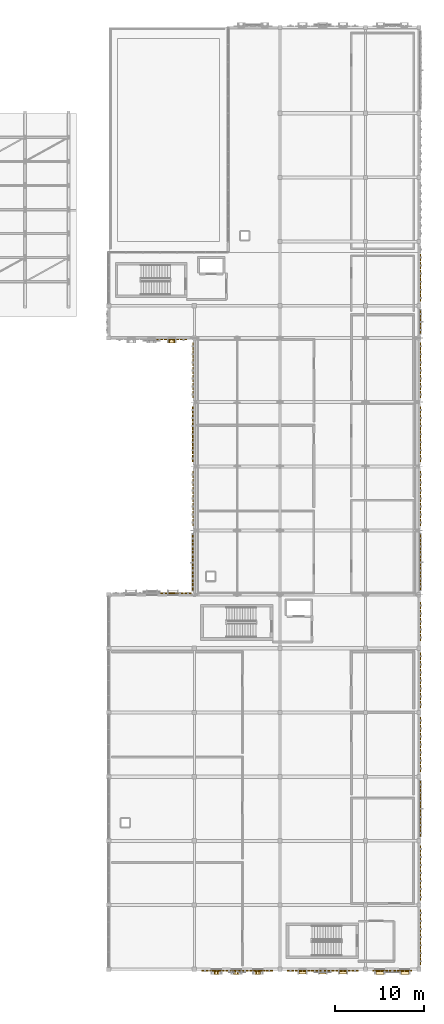
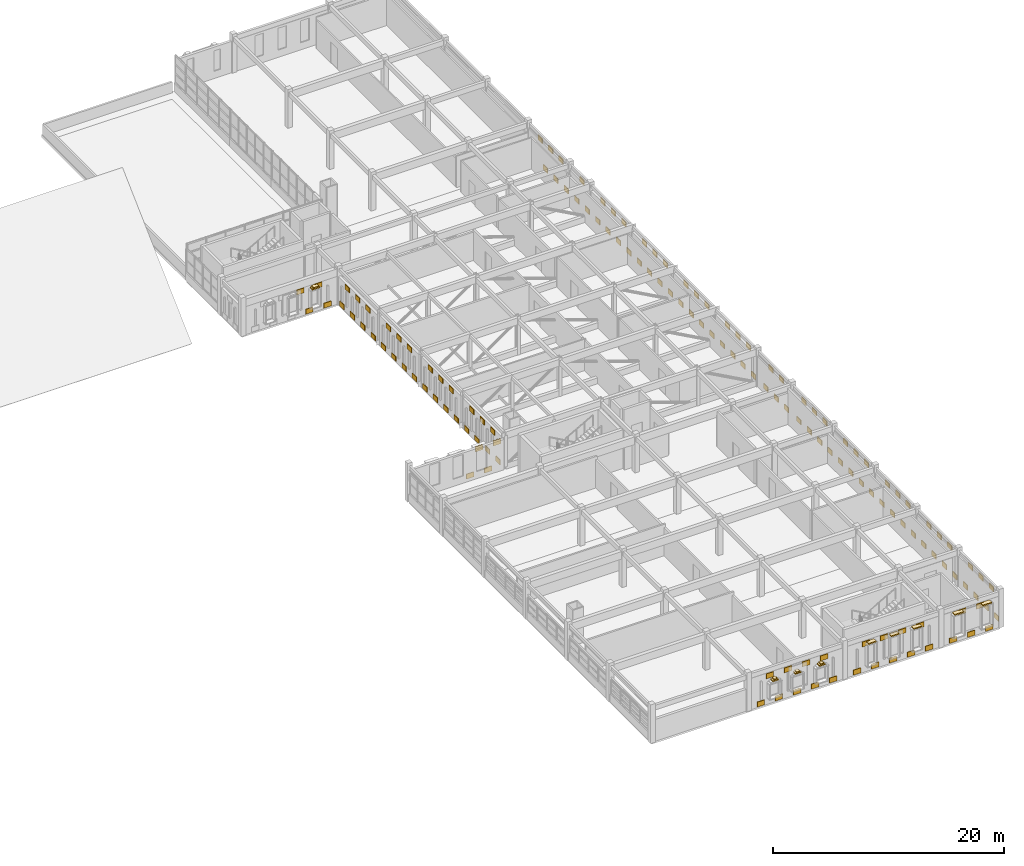
# One storey, part 78 of 79: 149 coverings.
"""IFC4 building model written with IfcOpenShell, lengths in metres."""

from ifc_helpers import new_model, si_unit, direction, frame, origin, origin_2d, place, context, subcontext, project, spatial, rectangle, extrude, material, layer, layer_set, type_object, element, save


model = new_model("IFC4")

# Units and contexts
model_context = context("Model", 3, precision=1e-05, world=origin(), true_north=direction((0.0, 1.0)))
body_context = subcontext(model_context, "Body", "Model", "MODEL_VIEW")
ifc_project = project(units=[si_unit("LENGTHUNIT", "METRE"), si_unit("AREAUNIT", "SQUARE_METRE"), si_unit("VOLUMEUNIT", "CUBIC_METRE"), si_unit("PLANEANGLEUNIT", "RADIAN"), si_unit("MASSUNIT", "GRAM", prefix="KILO")], contexts=[model_context])

# Site, building, storey
site_placement = place(None, origin())
site = spatial("IfcSite", under=ifc_project, at=site_placement, CompositionType="ELEMENT")
building_placement = place(site_placement, origin())
building = spatial("IfcBuilding", under=site, at=building_placement, Name="Nzembalo Square Collegiate School", CompositionType="ELEMENT")
storey_placement = place(building_placement, frame((0.0, 0.0, 9.52001953125)))
storey = spatial("IfcBuildingStorey", under=building, at=storey_placement, Name="L02", CompositionType="ELEMENT", Elevation=9.52001953125)

# Coverings
ifc_material_1 = material(Name="Glazed cobalt ceramic patterned tile")
ifc_layer_1 = layer(ifc_material_1, 0.074951171875, Name="Glazed cobalt ceramic patterned tile")
ifc_layer_set_1 = layer_set([ifc_layer_1], Name="Glazed cobalt ceramic patterned tile")
covering_type_1 = type_object("IfcCoveringType", Name="CL01", PredefinedType="CLADDING", material=ifc_layer_set_1)
for number, where, z_axis, x_axis, name in (
    (1, (136.9951171875, 50.56005859375, 0.099853515625), (0.0, 0.0, 1.0), (1.0, 0.0, 0.0), "Patterned ceramic tile CL01-X0147-6-0"),
    (2, (137.89501953125, 50.56005859375, 2.654052734375), (0.0, 0.0, 1.0), (1.0, 0.0, 0.0), "Patterned ceramic tile CL01-X0147-7-1"),
    (3, (138.794921875, 50.56005859375, 0.099853515625), (0.0, 0.0, 1.0), (1.0, 0.0, 0.0), "Patterned ceramic tile CL01-X0147-8-0"),
    (4, (139.695068359375, 50.56005859375, 2.654052734375), (0.0, 0.0, 1.0), (1.0, 0.0, 0.0), "Patterned ceramic tile CL01-X0147-9-1"),
):
    element("IfcCovering", number, at=place(storey_placement, frame(where, z_axis=z_axis, x_axis=x_axis)), inside=storey, type_object=covering_type_1, Name=name, PredefinedType="CLADDING", context=body_context, shape_type="SweptSolid", body=[
        extrude(rectangle(XDim=0.739990234375, YDim=0.074951171875, at=origin_2d()), origin(), (0.0, 0.0, 1.0), 0.52001953125),
    ])
for number, where, z_axis, x_axis, name in (
    (5, (140.22998046875, 51.300048828125, 0.099853515625), (0.0, 0.0, 1.0), (1.0, 0.0, 0.0), "Patterned ceramic tile CL01-Y0148-0-0"),
    (6, (140.22998046875, 52.199951171875, 2.654052734375), (0.0, 0.0, 1.0), (1.0, 0.0, 0.0), "Patterned ceramic tile CL01-Y0148-1-1"),
    (7, (140.22998046875, 53.10009765625, 0.099853515625), (0.0, 0.0, 1.0), (1.0, 0.0, 0.0), "Patterned ceramic tile CL01-Y0148-2-0"),
    (8, (140.22998046875, 54.0, 2.654052734375), (0.0, 0.0, 1.0), (1.0, 0.0, 0.0), "Patterned ceramic tile CL01-Y0148-3-1"),
    (9, (140.22998046875, 54.89990234375, 0.099853515625), (0.0, 0.0, 1.0), (1.0, 0.0, 0.0), "Patterned ceramic tile CL01-Y0148-4-0"),
    (10, (140.22998046875, 55.800048828125, 2.654052734375), (0.0, 0.0, 1.0), (1.0, 0.0, 0.0), "Patterned ceramic tile CL01-Y0148-5-1"),
    (11, (140.22998046875, 56.699951171875, 0.099853515625), (0.0, 0.0, 1.0), (1.0, 0.0, 0.0), "Patterned ceramic tile CL01-Y0148-6-0"),
    (12, (140.239990234375, 58.5, 0.099853515625), (0.0, 0.0, 1.0), (1.0, 0.0, 0.0), "Patterned ceramic tile CL01-Y0149-0-0"),
    (13, (140.239990234375, 59.39990234375, 2.654052734375), (0.0, 0.0, 1.0), (1.0, 0.0, 0.0), "Patterned ceramic tile CL01-Y0149-1-1"),
    (14, (140.239990234375, 60.300048828125, 0.099853515625), (0.0, 0.0, 1.0), (1.0, 0.0, 0.0), "Patterned ceramic tile CL01-Y0149-2-0"),
    (15, (140.239990234375, 61.199951171875, 2.654052734375), (0.0, 0.0, 1.0), (1.0, 0.0, 0.0), "Patterned ceramic tile CL01-Y0149-3-1"),
    (16, (140.239990234375, 62.10009765625, 0.099853515625), (0.0, 0.0, 1.0), (1.0, 0.0, 0.0), "Patterned ceramic tile CL01-Y0149-4-0"),
    (17, (140.239990234375, 63.0, 2.654052734375), (0.0, 0.0, 1.0), (1.0, 0.0, 0.0), "Patterned ceramic tile CL01-Y0149-5-1"),
    (18, (140.239990234375, 63.89990234375, 0.099853515625), (0.0, 0.0, 1.0), (1.0, 0.0, 0.0), "Patterned ceramic tile CL01-Y0149-6-0"),
    (19, (140.22998046875, 65.699951171875, 0.099853515625), (0.0, 0.0, 1.0), (1.0, 0.0, 0.0), "Patterned ceramic tile CL01-Y0150-0-0"),
    (20, (140.22998046875, 66.60009765625, 2.654052734375), (0.0, 0.0, 1.0), (1.0, 0.0, 0.0), "Patterned ceramic tile CL01-Y0150-1-1"),
    (21, (140.22998046875, 67.5, 0.099853515625), (0.0, 0.0, 1.0), (1.0, 0.0, 0.0), "Patterned ceramic tile CL01-Y0150-2-0"),
    (22, (140.22998046875, 68.39990234375, 2.654052734375), (0.0, 0.0, 1.0), (1.0, 0.0, 0.0), "Patterned ceramic tile CL01-Y0150-3-1"),
    (23, (140.22998046875, 69.300048828125, 0.099853515625), (0.0, 0.0, 1.0), (1.0, 0.0, 0.0), "Patterned ceramic tile CL01-Y0150-4-0"),
    (24, (140.22998046875, 70.199951171875, 2.654052734375), (0.0, 0.0, 1.0), (1.0, 0.0, 0.0), "Patterned ceramic tile CL01-Y0150-5-1"),
    (25, (140.22998046875, 71.10009765625, 0.099853515625), (0.0, 0.0, 1.0), (1.0, 0.0, 0.0), "Patterned ceramic tile CL01-Y0150-6-0"),
    (26, (140.239990234375, 72.867431640625, 0.099853515625), (0.0, 0.0, 1.0), (1.0, 0.0, 0.0), "Patterned ceramic tile CL01-Y0151-0-0"),
    (27, (140.239990234375, 73.767578125, 2.43896484375), (0.0, 0.0, 1.0), (1.0, 0.0, 0.0), "Patterned ceramic tile CL01-Y0151-1-1"),
    (28, (140.239990234375, 74.66748046875, 0.099853515625), (0.0, 0.0, 1.0), (1.0, 0.0, 0.0), "Patterned ceramic tile CL01-Y0151-2-0"),
    (29, (140.239990234375, 75.5673828125, 2.43896484375), (0.0, 0.0, 1.0), (1.0, 0.0, 0.0), "Patterned ceramic tile CL01-Y0151-3-1"),
    (30, (140.239990234375, 76.467529296875, 0.099853515625), (0.0, 0.0, 1.0), (1.0, 0.0, 0.0), "Patterned ceramic tile CL01-Y0151-4-0"),
    (31, (140.239990234375, 77.367431640625, 2.43896484375), (0.0, 0.0, 1.0), (1.0, 0.0, 0.0), "Patterned ceramic tile CL01-Y0151-5-1"),
    (32, (140.239990234375, 78.267578125, 0.099853515625), (0.0, 0.0, 1.0), (1.0, 0.0, 0.0), "Patterned ceramic tile CL01-Y0151-6-0"),
):
    element("IfcCovering", number, at=place(storey_placement, frame(where, z_axis=z_axis, x_axis=x_axis)), inside=storey, type_object=covering_type_1, Name=name, PredefinedType="CLADDING", context=body_context, shape_type="SweptSolid", body=[
        extrude(rectangle(XDim=0.074951171875, YDim=0.739990234375, at=origin_2d()), origin(), (0.0, 0.0, 1.0), 0.52001953125),
    ])
for number, where, z_axis, x_axis, name in (
    (33, (136.5, 79.030029296875, 2.43896484375), (0.0, 0.0, 1.0), (1.0, 0.0, 0.0), "Patterned ceramic tile CL01-X0152-5-1"),
    (34, (137.39990234375, 79.030029296875, 0.099853515625), (0.0, 0.0, 1.0), (1.0, 0.0, 0.0), "Patterned ceramic tile CL01-X0152-6-0"),
    (35, (138.300048828125, 79.030029296875, 2.43896484375), (0.0, 0.0, 1.0), (1.0, 0.0, 0.0), "Patterned ceramic tile CL01-X0152-7-1"),
    (36, (139.199951171875, 79.030029296875, 0.099853515625), (0.0, 0.0, 1.0), (1.0, 0.0, 0.0), "Patterned ceramic tile CL01-X0152-8-0"),
):
    element("IfcCovering", number, at=place(storey_placement, frame(where, z_axis=z_axis, x_axis=x_axis)), inside=storey, type_object=covering_type_1, Name=name, PredefinedType="CLADDING", context=body_context, shape_type="SweptSolid", body=[
        extrude(rectangle(XDim=0.739990234375, YDim=0.074951171875, at=origin_2d()), origin(), (0.0, 0.0, 1.0), 0.52001953125),
    ])
for number, where, z_axis, x_axis, name in (
    (37, (165.77001953125, 9.300048828125, 0.099853515625), (0.0, 0.0, 1.0), (1.0, 0.0, 0.0), "Patterned ceramic tile CL01-Y0158-0-0"),
    (38, (165.77001953125, 10.199951171875, 2.678955078125), (0.0, 0.0, 1.0), (1.0, 0.0, 0.0), "Patterned ceramic tile CL01-Y0158-1-1"),
    (39, (165.77001953125, 11.10009765625, 0.099853515625), (0.0, 0.0, 1.0), (1.0, 0.0, 0.0), "Patterned ceramic tile CL01-Y0158-2-0"),
    (40, (165.77001953125, 12.0, 2.678955078125), (0.0, 0.0, 1.0), (1.0, 0.0, 0.0), "Patterned ceramic tile CL01-Y0158-3-1"),
    (41, (165.77001953125, 12.89990234375, 0.099853515625), (0.0, 0.0, 1.0), (1.0, 0.0, 0.0), "Patterned ceramic tile CL01-Y0158-4-0"),
    (42, (165.77001953125, 13.800048828125, 2.678955078125), (0.0, 0.0, 1.0), (1.0, 0.0, 0.0), "Patterned ceramic tile CL01-Y0158-5-1"),
    (43, (165.77001953125, 14.699951171875, 0.099853515625), (0.0, 0.0, 1.0), (1.0, 0.0, 0.0), "Patterned ceramic tile CL01-Y0158-6-0"),
    (44, (165.760009765625, 16.5, 0.099853515625), (0.0, 0.0, 1.0), (1.0, 0.0, 0.0), "Patterned ceramic tile CL01-Y0159-0-0"),
    (45, (165.760009765625, 17.39990234375, 2.678955078125), (0.0, 0.0, 1.0), (1.0, 0.0, 0.0), "Patterned ceramic tile CL01-Y0159-1-1"),
    (46, (165.760009765625, 18.300048828125, 0.099853515625), (0.0, 0.0, 1.0), (1.0, 0.0, 0.0), "Patterned ceramic tile CL01-Y0159-2-0"),
    (47, (165.760009765625, 19.199951171875, 2.678955078125), (0.0, 0.0, 1.0), (1.0, 0.0, 0.0), "Patterned ceramic tile CL01-Y0159-3-1"),
    (48, (165.760009765625, 20.10009765625, 0.099853515625), (0.0, 0.0, 1.0), (1.0, 0.0, 0.0), "Patterned ceramic tile CL01-Y0159-4-0"),
    (49, (165.760009765625, 21.0, 2.678955078125), (0.0, 0.0, 1.0), (1.0, 0.0, 0.0), "Patterned ceramic tile CL01-Y0159-5-1"),
    (50, (165.760009765625, 21.89990234375, 0.099853515625), (0.0, 0.0, 1.0), (1.0, 0.0, 0.0), "Patterned ceramic tile CL01-Y0159-6-0"),
    (51, (165.77001953125, 23.699951171875, 0.099853515625), (0.0, 0.0, 1.0), (1.0, 0.0, 0.0), "Patterned ceramic tile CL01-Y0160-0-0"),
    (52, (165.77001953125, 24.60009765625, 2.678955078125), (0.0, 0.0, 1.0), (1.0, 0.0, 0.0), "Patterned ceramic tile CL01-Y0160-1-1"),
    (53, (165.77001953125, 25.5, 0.099853515625), (0.0, 0.0, 1.0), (1.0, 0.0, 0.0), "Patterned ceramic tile CL01-Y0160-2-0"),
    (54, (165.77001953125, 26.39990234375, 2.678955078125), (0.0, 0.0, 1.0), (1.0, 0.0, 0.0), "Patterned ceramic tile CL01-Y0160-3-1"),
    (55, (165.77001953125, 27.300048828125, 0.099853515625), (0.0, 0.0, 1.0), (1.0, 0.0, 0.0), "Patterned ceramic tile CL01-Y0160-4-0"),
    (56, (165.77001953125, 28.199951171875, 2.678955078125), (0.0, 0.0, 1.0), (1.0, 0.0, 0.0), "Patterned ceramic tile CL01-Y0160-5-1"),
    (57, (165.77001953125, 29.10009765625, 0.099853515625), (0.0, 0.0, 1.0), (1.0, 0.0, 0.0), "Patterned ceramic tile CL01-Y0160-6-0"),
    (58, (165.760009765625, 30.89990234375, 0.099853515625), (0.0, 0.0, 1.0), (1.0, 0.0, 0.0), "Patterned ceramic tile CL01-Y0161-0-0"),
    (59, (165.760009765625, 31.800048828125, 2.678955078125), (0.0, 0.0, 1.0), (1.0, 0.0, 0.0), "Patterned ceramic tile CL01-Y0161-1-1"),
    (60, (165.760009765625, 32.699951171875, 0.099853515625), (0.0, 0.0, 1.0), (1.0, 0.0, 0.0), "Patterned ceramic tile CL01-Y0161-2-0"),
    (61, (165.760009765625, 33.60009765625, 2.678955078125), (0.0, 0.0, 1.0), (1.0, 0.0, 0.0), "Patterned ceramic tile CL01-Y0161-3-1"),
    (62, (165.760009765625, 34.5, 0.099853515625), (0.0, 0.0, 1.0), (1.0, 0.0, 0.0), "Patterned ceramic tile CL01-Y0161-4-0"),
    (63, (165.760009765625, 35.39990234375, 2.678955078125), (0.0, 0.0, 1.0), (1.0, 0.0, 0.0), "Patterned ceramic tile CL01-Y0161-5-1"),
    (64, (165.760009765625, 36.300048828125, 0.099853515625), (0.0, 0.0, 1.0), (1.0, 0.0, 0.0), "Patterned ceramic tile CL01-Y0161-6-0"),
    (65, (165.77001953125, 38.10009765625, 0.099853515625), (0.0, 0.0, 1.0), (1.0, 0.0, 0.0), "Patterned ceramic tile CL01-Y0162-0-0"),
    (66, (165.77001953125, 39.0, 2.678955078125), (0.0, 0.0, 1.0), (1.0, 0.0, 0.0), "Patterned ceramic tile CL01-Y0162-1-1"),
    (67, (165.77001953125, 39.89990234375, 0.099853515625), (0.0, 0.0, 1.0), (1.0, 0.0, 0.0), "Patterned ceramic tile CL01-Y0162-2-0"),
    (68, (165.77001953125, 40.800048828125, 2.678955078125), (0.0, 0.0, 1.0), (1.0, 0.0, 0.0), "Patterned ceramic tile CL01-Y0162-3-1"),
    (69, (165.77001953125, 41.699951171875, 0.099853515625), (0.0, 0.0, 1.0), (1.0, 0.0, 0.0), "Patterned ceramic tile CL01-Y0162-4-0"),
    (70, (165.77001953125, 42.60009765625, 2.678955078125), (0.0, 0.0, 1.0), (1.0, 0.0, 0.0), "Patterned ceramic tile CL01-Y0162-5-1"),
    (71, (165.77001953125, 43.5, 0.099853515625), (0.0, 0.0, 1.0), (1.0, 0.0, 0.0), "Patterned ceramic tile CL01-Y0162-6-0"),
    (72, (165.760009765625, 45.60009765625, 0.099853515625), (0.0, 0.0, 1.0), (1.0, 0.0, 0.0), "Patterned ceramic tile CL01-Y0163-0-0"),
    (73, (165.760009765625, 46.5, 2.654052734375), (0.0, 0.0, 1.0), (1.0, 0.0, 0.0), "Patterned ceramic tile CL01-Y0163-1-1"),
    (74, (165.760009765625, 47.39990234375, 0.099853515625), (0.0, 0.0, 1.0), (1.0, 0.0, 0.0), "Patterned ceramic tile CL01-Y0163-2-0"),
    (75, (165.760009765625, 48.300048828125, 2.654052734375), (0.0, 0.0, 1.0), (1.0, 0.0, 0.0), "Patterned ceramic tile CL01-Y0163-3-1"),
    (76, (165.760009765625, 49.199951171875, 0.099853515625), (0.0, 0.0, 1.0), (1.0, 0.0, 0.0), "Patterned ceramic tile CL01-Y0163-4-0"),
    (77, (165.77001953125, 51.33251953125, 0.099853515625), (0.0, 0.0, 1.0), (1.0, 0.0, 0.0), "Patterned ceramic tile CL01-Y0164-0-0"),
    (78, (165.77001953125, 52.232421875, 2.654052734375), (0.0, 0.0, 1.0), (1.0, 0.0, 0.0), "Patterned ceramic tile CL01-Y0164-1-1"),
    (79, (165.77001953125, 53.132568359375, 0.099853515625), (0.0, 0.0, 1.0), (1.0, 0.0, 0.0), "Patterned ceramic tile CL01-Y0164-2-0"),
    (80, (165.77001953125, 54.032470703125, 2.654052734375), (0.0, 0.0, 1.0), (1.0, 0.0, 0.0), "Patterned ceramic tile CL01-Y0164-3-1"),
    (81, (165.77001953125, 54.9326171875, 0.099853515625), (0.0, 0.0, 1.0), (1.0, 0.0, 0.0), "Patterned ceramic tile CL01-Y0164-4-0"),
    (82, (165.77001953125, 55.83251953125, 2.654052734375), (0.0, 0.0, 1.0), (1.0, 0.0, 0.0), "Patterned ceramic tile CL01-Y0164-5-1"),
    (83, (165.77001953125, 56.732421875, 0.099853515625), (0.0, 0.0, 1.0), (1.0, 0.0, 0.0), "Patterned ceramic tile CL01-Y0164-6-0"),
    (84, (165.760009765625, 58.5, 0.099853515625), (0.0, 0.0, 1.0), (1.0, 0.0, 0.0), "Patterned ceramic tile CL01-Y0165-0-0"),
    (85, (165.760009765625, 59.39990234375, 2.654052734375), (0.0, 0.0, 1.0), (1.0, 0.0, 0.0), "Patterned ceramic tile CL01-Y0165-1-1"),
    (86, (165.760009765625, 60.300048828125, 0.099853515625), (0.0, 0.0, 1.0), (1.0, 0.0, 0.0), "Patterned ceramic tile CL01-Y0165-2-0"),
    (87, (165.760009765625, 61.199951171875, 2.654052734375), (0.0, 0.0, 1.0), (1.0, 0.0, 0.0), "Patterned ceramic tile CL01-Y0165-3-1"),
    (88, (165.760009765625, 62.10009765625, 0.099853515625), (0.0, 0.0, 1.0), (1.0, 0.0, 0.0), "Patterned ceramic tile CL01-Y0165-4-0"),
    (89, (165.760009765625, 63.0, 2.654052734375), (0.0, 0.0, 1.0), (1.0, 0.0, 0.0), "Patterned ceramic tile CL01-Y0165-5-1"),
    (90, (165.760009765625, 63.89990234375, 0.099853515625), (0.0, 0.0, 1.0), (1.0, 0.0, 0.0), "Patterned ceramic tile CL01-Y0165-6-0"),
    (91, (165.77001953125, 65.699951171875, 0.099853515625), (0.0, 0.0, 1.0), (1.0, 0.0, 0.0), "Patterned ceramic tile CL01-Y0166-0-0"),
    (92, (165.77001953125, 66.60009765625, 2.654052734375), (0.0, 0.0, 1.0), (1.0, 0.0, 0.0), "Patterned ceramic tile CL01-Y0166-1-1"),
    (93, (165.77001953125, 67.5, 0.099853515625), (0.0, 0.0, 1.0), (1.0, 0.0, 0.0), "Patterned ceramic tile CL01-Y0166-2-0"),
    (94, (165.77001953125, 68.39990234375, 2.654052734375), (0.0, 0.0, 1.0), (1.0, 0.0, 0.0), "Patterned ceramic tile CL01-Y0166-3-1"),
    (95, (165.77001953125, 69.300048828125, 0.099853515625), (0.0, 0.0, 1.0), (1.0, 0.0, 0.0), "Patterned ceramic tile CL01-Y0166-4-0"),
    (96, (165.77001953125, 70.199951171875, 2.654052734375), (0.0, 0.0, 1.0), (1.0, 0.0, 0.0), "Patterned ceramic tile CL01-Y0166-5-1"),
    (97, (165.77001953125, 71.10009765625, 0.099853515625), (0.0, 0.0, 1.0), (1.0, 0.0, 0.0), "Patterned ceramic tile CL01-Y0166-6-0"),
    (98, (165.760009765625, 72.867431640625, 0.099853515625), (0.0, 0.0, 1.0), (1.0, 0.0, 0.0), "Patterned ceramic tile CL01-Y0167-0-0"),
    (99, (165.760009765625, 73.767578125, 2.654052734375), (0.0, 0.0, 1.0), (1.0, 0.0, 0.0), "Patterned ceramic tile CL01-Y0167-1-1"),
    (100, (165.760009765625, 74.66748046875, 0.099853515625), (0.0, 0.0, 1.0), (1.0, 0.0, 0.0), "Patterned ceramic tile CL01-Y0167-2-0"),
    (101, (165.760009765625, 75.5673828125, 2.654052734375), (0.0, 0.0, 1.0), (1.0, 0.0, 0.0), "Patterned ceramic tile CL01-Y0167-3-1"),
    (102, (165.760009765625, 76.467529296875, 0.099853515625), (0.0, 0.0, 1.0), (1.0, 0.0, 0.0), "Patterned ceramic tile CL01-Y0167-4-0"),
    (103, (165.760009765625, 77.367431640625, 2.654052734375), (0.0, 0.0, 1.0), (1.0, 0.0, 0.0), "Patterned ceramic tile CL01-Y0167-5-1"),
    (104, (165.760009765625, 78.267578125, 0.099853515625), (0.0, 0.0, 1.0), (1.0, 0.0, 0.0), "Patterned ceramic tile CL01-Y0167-6-0"),
    (105, (165.77001953125, 80.10009765625, 0.099853515625), (0.0, 0.0, 1.0), (1.0, 0.0, 0.0), "Patterned ceramic tile CL01-Y0168-0-0"),
    (106, (165.77001953125, 81.0, 2.654052734375), (0.0, 0.0, 1.0), (1.0, 0.0, 0.0), "Patterned ceramic tile CL01-Y0168-1-1"),
    (107, (165.77001953125, 81.89990234375, 0.099853515625), (0.0, 0.0, 1.0), (1.0, 0.0, 0.0), "Patterned ceramic tile CL01-Y0168-2-0"),
    (108, (165.760009765625, 83.699951171875, 0.099853515625), (0.0, 0.0, 1.0), (1.0, 0.0, 0.0), "Patterned ceramic tile CL01-Y0169-0-0"),
    (109, (165.760009765625, 84.60009765625, 2.678955078125), (0.0, 0.0, 1.0), (1.0, 0.0, 0.0), "Patterned ceramic tile CL01-Y0169-1-1"),
    (110, (165.760009765625, 85.5, 0.099853515625), (0.0, 0.0, 1.0), (1.0, 0.0, 0.0), "Patterned ceramic tile CL01-Y0169-2-0"),
    (111, (165.760009765625, 86.39990234375, 2.678955078125), (0.0, 0.0, 1.0), (1.0, 0.0, 0.0), "Patterned ceramic tile CL01-Y0169-3-1"),
    (112, (165.760009765625, 87.300048828125, 0.099853515625), (0.0, 0.0, 1.0), (1.0, 0.0, 0.0), "Patterned ceramic tile CL01-Y0169-4-0"),
    (113, (165.760009765625, 88.199951171875, 2.678955078125), (0.0, 0.0, 1.0), (1.0, 0.0, 0.0), "Patterned ceramic tile CL01-Y0169-5-1"),
):
    element("IfcCovering", number, at=place(storey_placement, frame(where, z_axis=z_axis, x_axis=x_axis)), inside=storey, type_object=covering_type_1, Name=name, PredefinedType="CLADDING", context=body_context, shape_type="SweptSolid", body=[
        extrude(rectangle(XDim=0.074951171875, YDim=0.739990234375, at=origin_2d()), origin(), (0.0, 0.0, 1.0), 0.52001953125),
    ])
for number, where, z_axis, x_axis, name in (
    (114, (141.60009765625, 8.22998046875, 0.099853515625), (0.0, 0.0, 1.0), (1.0, 0.0, 0.0), "Patterned ceramic tile CL01-X0174-0-0"),
    (115, (142.5, 8.22998046875, 2.759033203125), (0.0, 0.0, 1.0), (1.0, 0.0, 0.0), "Patterned ceramic tile CL01-X0174-1-1"),
    (116, (143.39990234375, 8.22998046875, 0.099853515625), (0.0, 0.0, 1.0), (1.0, 0.0, 0.0), "Patterned ceramic tile CL01-X0174-2-0"),
    (117, (144.300048828125, 8.22998046875, 2.759033203125), (0.0, 0.0, 1.0), (1.0, 0.0, 0.0), "Patterned ceramic tile CL01-X0174-3-1"),
    (118, (145.199951171875, 8.22998046875, 0.099853515625), (0.0, 0.0, 1.0), (1.0, 0.0, 0.0), "Patterned ceramic tile CL01-X0174-4-0"),
    (119, (146.10009765625, 8.22998046875, 2.759033203125), (0.0, 0.0, 1.0), (1.0, 0.0, 0.0), "Patterned ceramic tile CL01-X0174-5-1"),
    (120, (147.0, 8.22998046875, 0.099853515625), (0.0, 0.0, 1.0), (1.0, 0.0, 0.0), "Patterned ceramic tile CL01-X0174-6-0"),
    (121, (147.89990234375, 8.22998046875, 2.759033203125), (0.0, 0.0, 1.0), (1.0, 0.0, 0.0), "Patterned ceramic tile CL01-X0174-7-1"),
    (122, (148.800048828125, 8.22998046875, 0.099853515625), (0.0, 0.0, 1.0), (1.0, 0.0, 0.0), "Patterned ceramic tile CL01-X0174-8-0"),
    (123, (151.199951171875, 8.239990234375, 0.099853515625), (0.0, 0.0, 1.0), (1.0, 0.0, 0.0), "Patterned ceramic tile CL01-X0175-0-0"),
    (124, (152.10009765625, 8.239990234375, 2.759033203125), (0.0, 0.0, 1.0), (1.0, 0.0, 0.0), "Patterned ceramic tile CL01-X0175-1-1"),
    (125, (153.0, 8.239990234375, 0.099853515625), (0.0, 0.0, 1.0), (1.0, 0.0, 0.0), "Patterned ceramic tile CL01-X0175-2-0"),
    (126, (153.89990234375, 8.239990234375, 2.759033203125), (0.0, 0.0, 1.0), (1.0, 0.0, 0.0), "Patterned ceramic tile CL01-X0175-3-1"),
    (127, (154.800048828125, 8.239990234375, 0.099853515625), (0.0, 0.0, 1.0), (1.0, 0.0, 0.0), "Patterned ceramic tile CL01-X0175-4-0"),
    (128, (155.699951171875, 8.239990234375, 2.759033203125), (0.0, 0.0, 1.0), (1.0, 0.0, 0.0), "Patterned ceramic tile CL01-X0175-5-1"),
    (129, (156.60009765625, 8.239990234375, 0.099853515625), (0.0, 0.0, 1.0), (1.0, 0.0, 0.0), "Patterned ceramic tile CL01-X0175-6-0"),
    (130, (157.5, 8.239990234375, 2.759033203125), (0.0, 0.0, 1.0), (1.0, 0.0, 0.0), "Patterned ceramic tile CL01-X0175-7-1"),
    (131, (158.39990234375, 8.239990234375, 0.099853515625), (0.0, 0.0, 1.0), (1.0, 0.0, 0.0), "Patterned ceramic tile CL01-X0175-8-0"),
    (132, (160.800048828125, 8.22998046875, 0.099853515625), (0.0, 0.0, 1.0), (1.0, 0.0, 0.0), "Patterned ceramic tile CL01-X0176-0-0"),
    (133, (161.699951171875, 8.22998046875, 2.759033203125), (0.0, 0.0, 1.0), (1.0, 0.0, 0.0), "Patterned ceramic tile CL01-X0176-1-1"),
    (134, (162.60009765625, 8.22998046875, 0.099853515625), (0.0, 0.0, 1.0), (1.0, 0.0, 0.0), "Patterned ceramic tile CL01-X0176-2-0"),
    (135, (163.5, 8.22998046875, 2.759033203125), (0.0, 0.0, 1.0), (1.0, 0.0, 0.0), "Patterned ceramic tile CL01-X0176-3-1"),
    (136, (164.39990234375, 8.22998046875, 0.099853515625), (0.0, 0.0, 1.0), (1.0, 0.0, 0.0), "Patterned ceramic tile CL01-X0176-4-0"),
):
    element("IfcCovering", number, at=place(storey_placement, frame(where, z_axis=z_axis, x_axis=x_axis)), inside=storey, type_object=covering_type_1, Name=name, PredefinedType="CLADDING", context=body_context, shape_type="SweptSolid", body=[
        extrude(rectangle(XDim=0.739990234375, YDim=0.074951171875, at=origin_2d()), origin(), (0.0, 0.0, 1.0), 0.52001953125),
    ])
ifc_material_2 = material(Name="Glazed celadon ceramic window frame")
ifc_layer_2 = layer(ifc_material_2, 0.419921875, Name="Glazed celadon ceramic window frame")
ifc_layer_set_2 = layer_set([ifc_layer_2], Name="Glazed celadon ceramic window frame")
covering_type_2 = type_object("IfcCoveringType", Name="WF01", PredefinedType="CLADDING", material=ifc_layer_set_2)
covering_1_placement = place(storey_placement, frame((137.864013671875, 78.8525390625, 2.679931640625), z_axis=(0.0, 0.0, 1.0), x_axis=(1.0, 0.0, 0.0)))
element("IfcCovering", 137, at=covering_1_placement, inside=storey, type_object=covering_type_2, Name="Pointed lancet gable WF01-0410-1", PredefinedType="CLADDING", context=body_context, shape_type="SweptSolid", body=[
    extrude(rectangle(XDim=0.77490234375, YDim=0.419921875, at=origin_2d()), origin(), (0.0, 0.0, 1.0), 0.1201171875),
])
covering_2_placement = place(storey_placement, frame((137.864013671875, 78.8525390625, 2.7998046875), z_axis=(0.0, 0.0, 1.0), x_axis=(1.0, 0.0, 0.0)))
element("IfcCovering", 138, at=covering_2_placement, inside=storey, type_object=covering_type_2, Name="Pointed lancet gable WF01-0410-2", PredefinedType="CLADDING", context=body_context, shape_type="SweptSolid", body=[
    extrude(rectangle(XDim=0.489990234375, YDim=0.419921875, at=origin_2d()), origin(), (0.0, 0.0, 1.0), 0.1201171875),
])
covering_3_placement = place(storey_placement, frame((142.87841796875, 8.052490234375, 2.47998046875), z_axis=(0.0, 0.0, 1.0), x_axis=(1.0, 0.0, 0.0)))
element("IfcCovering", 139, at=covering_3_placement, inside=storey, type_object=covering_type_2, Name="Pointed lancet gable WF01-0458-2", PredefinedType="CLADDING", context=body_context, shape_type="SweptSolid", body=[
    extrude(rectangle(XDim=0.60009765625, YDim=0.419921875, at=origin_2d()), origin(), (0.0, 0.0, 1.0), 0.1201171875),
])
covering_4_placement = place(storey_placement, frame((142.87841796875, 8.052490234375, 2.599853515625), z_axis=(0.0, 0.0, 1.0), x_axis=(1.0, 0.0, 0.0)))
element("IfcCovering", 140, at=covering_4_placement, inside=storey, type_object=covering_type_2, Name="Pointed lancet gable WF01-0458-3", PredefinedType="CLADDING", context=body_context, shape_type="SweptSolid", body=[
    extrude(rectangle(XDim=0.27490234375, YDim=0.419921875, at=origin_2d()), origin(), (0.0, 0.0, 1.0), 0.1201171875),
])
covering_5_placement = place(storey_placement, frame((145.114990234375, 8.052490234375, 2.47998046875), z_axis=(0.0, 0.0, 1.0), x_axis=(1.0, 0.0, 0.0)))
element("IfcCovering", 141, at=covering_5_placement, inside=storey, type_object=covering_type_2, Name="Pointed lancet gable WF01-0459-2", PredefinedType="CLADDING", context=body_context, shape_type="SweptSolid", body=[
    extrude(rectangle(XDim=0.60009765625, YDim=0.419921875, at=origin_2d()), origin(), (0.0, 0.0, 1.0), 0.1201171875),
])
covering_6_placement = place(storey_placement, frame((145.114990234375, 8.052490234375, 2.599853515625), z_axis=(0.0, 0.0, 1.0), x_axis=(1.0, 0.0, 0.0)))
element("IfcCovering", 142, at=covering_6_placement, inside=storey, type_object=covering_type_2, Name="Pointed lancet gable WF01-0459-3", PredefinedType="CLADDING", context=body_context, shape_type="SweptSolid", body=[
    extrude(rectangle(XDim=0.27490234375, YDim=0.419921875, at=origin_2d()), origin(), (0.0, 0.0, 1.0), 0.1201171875),
])
covering_7_placement = place(storey_placement, frame((147.521484375, 8.052490234375, 2.47998046875), z_axis=(0.0, 0.0, 1.0), x_axis=(1.0, 0.0, 0.0)))
element("IfcCovering", 143, at=covering_7_placement, inside=storey, type_object=covering_type_2, Name="Pointed lancet gable WF01-0460-2", PredefinedType="CLADDING", context=body_context, shape_type="SweptSolid", body=[
    extrude(rectangle(XDim=0.60009765625, YDim=0.419921875, at=origin_2d()), origin(), (0.0, 0.0, 1.0), 0.1201171875),
])
covering_8_placement = place(storey_placement, frame((147.521484375, 8.052490234375, 2.599853515625), z_axis=(0.0, 0.0, 1.0), x_axis=(1.0, 0.0, 0.0)))
element("IfcCovering", 144, at=covering_8_placement, inside=storey, type_object=covering_type_2, Name="Pointed lancet gable WF01-0460-3", PredefinedType="CLADDING", context=body_context, shape_type="SweptSolid", body=[
    extrude(rectangle(XDim=0.27490234375, YDim=0.419921875, at=origin_2d()), origin(), (0.0, 0.0, 1.0), 0.1201171875),
])
for number, where, z_axis, x_axis, name in (
    (145, (152.535888671875, 8.0625, 3.079833984375), (0.0, 0.0, 1.0), (1.0, 0.0, 0.0), "Pointed lancet gable WF01-0480-1"),
    (146, (154.800048828125, 8.0625, 3.079833984375), (0.0, 0.0, 1.0), (1.0, 0.0, 0.0), "Pointed lancet gable WF01-0481-1"),
    (147, (157.06396484375, 8.0625, 3.079833984375), (0.0, 0.0, 1.0), (1.0, 0.0, 0.0), "Pointed lancet gable WF01-0482-1"),
):
    element("IfcCovering", number, at=place(storey_placement, frame(where, z_axis=z_axis, x_axis=x_axis)), inside=storey, type_object=covering_type_2, Name=name, PredefinedType="CLADDING", context=body_context, shape_type="SweptSolid", body=[
        extrude(rectangle(XDim=0.77490234375, YDim=0.419921875, at=origin_2d()), origin(), (0.0, 0.0, 1.0), 0.1201171875),
    ])
for number, where, z_axis, x_axis, name in (
    (148, (161.196044921875, 8.052490234375, 3.139892578125), (0.0, 0.0, 1.0), (1.0, 0.0, 0.0), "Pointed lancet gable WF01-0483-1"),
    (149, (164.00390625, 8.052490234375, 3.139892578125), (0.0, 0.0, 1.0), (1.0, 0.0, 0.0), "Pointed lancet gable WF01-0484-1"),
):
    element("IfcCovering", number, at=place(storey_placement, frame(where, z_axis=z_axis, x_axis=x_axis)), inside=storey, type_object=covering_type_2, Name=name, PredefinedType="CLADDING", context=body_context, shape_type="SweptSolid", body=[
        extrude(rectangle(XDim=0.89697265625, YDim=0.419921875, at=origin_2d()), origin(), (0.0, 0.0, 1.0), 0.1201171875),
    ])

save(model, "model.ifc")
